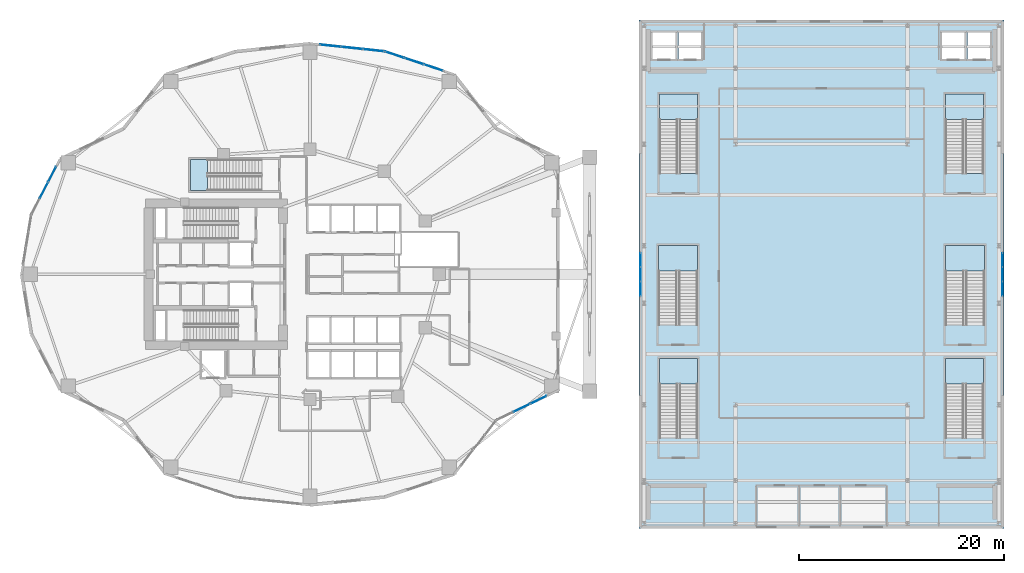
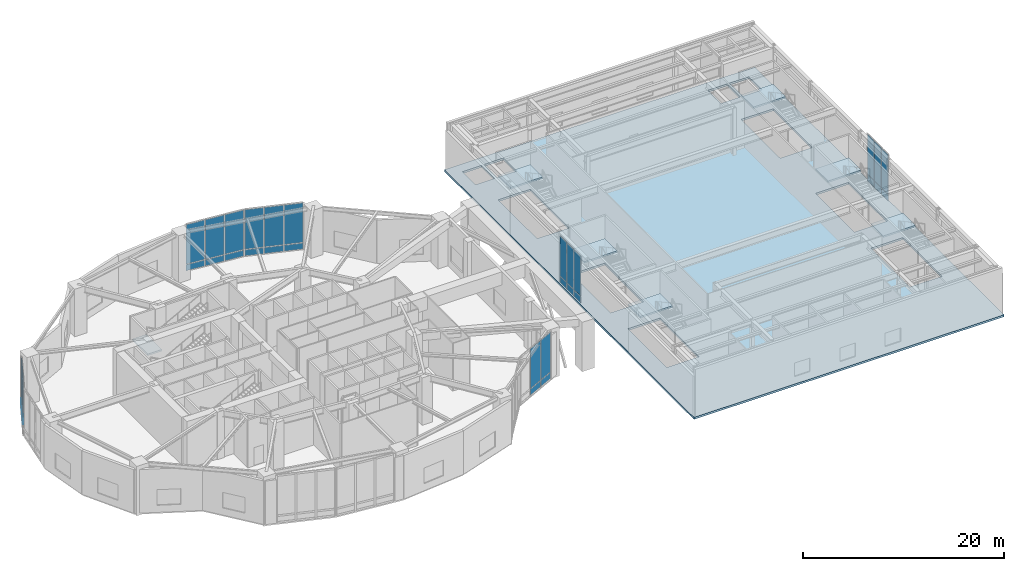
# One storey, part 13 of 25: 32 plates, 8 slabs, 13 elements without a shape of their own.
"""IFC4 building model written with IfcOpenShell, lengths in metres."""

from ifc_helpers import new_model, si_unit, direction, frame, origin, origin_2d, place, context, subcontext, project, spatial, polyline, rectangle, outline, extrude, material, layer, layer_set, type_object, element, aggregate, save


model = new_model("IFC4")

# Units and contexts
model_context = context("Model", 3, precision=1e-05, world=origin(), true_north=direction((0.0, 1.0)))
body_context = subcontext(model_context, "Body", "Model", "MODEL_VIEW")
ifc_project = project(units=[si_unit("LENGTHUNIT", "METRE"), si_unit("AREAUNIT", "SQUARE_METRE"), si_unit("VOLUMEUNIT", "CUBIC_METRE"), si_unit("PLANEANGLEUNIT", "RADIAN"), si_unit("MASSUNIT", "GRAM", prefix="KILO")], contexts=[model_context])

# Site, building, storey
site_placement = place(None, origin())
site = spatial("IfcSite", under=ifc_project, at=site_placement, CompositionType="ELEMENT")
building_placement = place(site_placement, origin())
building = spatial("IfcBuilding", under=site, at=building_placement, Name="Kolvaren Gate Tower and Convention Centre", CompositionType="ELEMENT")
storey_placement = place(building_placement, frame((0.0, 0.0, 15.0)))
storey = spatial("IfcBuildingStorey", under=building, at=storey_placement, Name="L03", CompositionType="ELEMENT", Elevation=15.0)

# Curtain wall, plates
ifc_material_1 = material(Name="Anodized Architectural Aluminium Alloy 6063-T6", Category="aluminium")
ifc_layer_1 = layer(ifc_material_1, 0.179931640625)
ifc_layer_set_1 = layer_set([ifc_layer_1], Name="Anodized Architectural Aluminium Alloy 6063-T6")
curtain_wall_type_1 = type_object("IfcCurtainWallType", Name="CW-POD-GLZ", PredefinedType="NOTDEFINED", material=ifc_layer_set_1)
curtain_wall_1_placement = place(storey_placement, origin())
curtain_wall_1 = element("IfcCurtainWall", 1, at=curtain_wall_1_placement, inside=storey, type_object=curtain_wall_type_1, Name="Tower L03 Unitised Curtain Wall CW-POD-GLZ Bay 04", PredefinedType="NOTDEFINED")
ifc_material_2 = material(Name="Low-E Triple Insulated Glazing Unit 44 mm", Category="glass")
ifc_layer_2 = layer(ifc_material_2, 0.0439453125)
ifc_layer_set_2 = layer_set([ifc_layer_2], Name="Low-E Triple Insulated Glazing Unit 44 mm")
plate_type_1 = type_object("IfcPlateType", Name="CW-PL-IGU-44", PredefinedType="CURTAIN_PANEL", material=ifc_layer_set_2)
plate_1_placement = place(storey_placement, frame((38.37939453125, 48.41015625, 0.88720703125), z_axis=(0.0, 0.0, 1.0), x_axis=(0.949243688479, -0.314541602786, 0.0)))
plate_1 = element("IfcPlate", 2, at=plate_1_placement, type_object=plate_type_1, Name="CW-01 panel 1.2", PredefinedType="CURTAIN_PANEL", context=body_context, shape_type="SweptSolid", body=[
    extrude(rectangle(XDim=1.904541015625, YDim=0.0439453125, at=origin_2d()), origin(), (0.0, 0.0, 1.0), 4.797607421875),
])
plate_2_placement = place(storey_placement, frame((40.2763671875, 47.78173828125, 0.88720703125), z_axis=(0.0, 0.0, 1.0), x_axis=(0.949243688479, -0.314541602786, 0.0)))
plate_2 = element("IfcPlate", 3, at=plate_2_placement, type_object=plate_type_1, Name="CW-01 panel 2.2", PredefinedType="CURTAIN_PANEL", context=body_context, shape_type="SweptSolid", body=[
    extrude(rectangle(XDim=1.94189453125, YDim=0.0439453125, at=origin_2d()), origin(), (0.0, 0.0, 1.0), 4.797607421875),
])
plate_3_placement = place(storey_placement, frame((42.173095703125, 47.153076171875, 0.88720703125), z_axis=(0.0, 0.0, 1.0), x_axis=(0.949243688479, -0.314541602786, 0.0)))
plate_3 = element("IfcPlate", 4, at=plate_3_placement, type_object=plate_type_1, Name="CW-01 panel 3.2", PredefinedType="CURTAIN_PANEL", context=body_context, shape_type="SweptSolid", body=[
    extrude(rectangle(XDim=1.904541015625, YDim=0.0439453125, at=origin_2d()), origin(), (0.0, 0.0, 1.0), 4.797607421875),
])

curtain_wall_2_placement = place(storey_placement, origin())
curtain_wall_2 = element("IfcCurtainWall", 5, at=curtain_wall_2_placement, inside=storey, type_object=curtain_wall_type_1, Name="Tower L03 Unitised Curtain Wall CW-POD-GLZ Bay 05", PredefinedType="NOTDEFINED")
plate_4_placement = place(storey_placement, frame((32.126708984375, 49.2890625, 0.88720703125), z_axis=(0.0, 0.0, 1.0), x_axis=(0.994498762941, -0.104748319841, 0.0)))
plate_4 = element("IfcPlate", 6, at=plate_4_placement, type_object=plate_type_1, Name="CW-01 panel 1.2", PredefinedType="CURTAIN_PANEL", context=body_context, shape_type="SweptSolid", body=[
    extrude(rectangle(XDim=2.017578125, YDim=0.0439453125, at=origin_2d()), origin(), (0.0, 0.0, 1.0), 4.797607421875),
])
plate_5_placement = place(storey_placement, frame((34.2265625, 49.068115234375, 0.88720703125), z_axis=(0.0, 0.0, 1.0), x_axis=(0.994498762941, -0.104748319841, 0.0)))
plate_5 = element("IfcPlate", 7, at=plate_5_placement, type_object=plate_type_1, Name="CW-01 panel 2.2", PredefinedType="CURTAIN_PANEL", context=body_context, shape_type="SweptSolid", body=[
    extrude(rectangle(XDim=2.05517578125, YDim=0.0439453125, at=origin_2d()), origin(), (0.0, 0.0, 1.0), 4.797607421875),
])
plate_6_placement = place(storey_placement, frame((36.326416015625, 48.846923828125, 0.88720703125), z_axis=(0.0, 0.0, 1.0), x_axis=(0.994498762941, -0.104748319841, 0.0)))
plate_6 = element("IfcPlate", 8, at=plate_6_placement, type_object=plate_type_1, Name="CW-01 panel 3.2", PredefinedType="CURTAIN_PANEL", context=body_context, shape_type="SweptSolid", body=[
    extrude(rectangle(XDim=2.017578125, YDim=0.0439453125, at=origin_2d()), origin(), (0.0, 0.0, 1.0), 4.797607421875),
])

curtain_wall_3_placement = place(storey_placement, origin())
curtain_wall_3 = element("IfcCurtainWall", 9, at=curtain_wall_3_placement, inside=storey, type_object=curtain_wall_type_1, Name="Tower L03 Unitised Curtain Wall CW-POD-GLZ Bay 10", PredefinedType="NOTDEFINED")
plate_7_placement = place(storey_placement, frame((4.1787109375, 35.1806640625, 0.88720703125), z_axis=(0.0, 0.0, 1.0), x_axis=(0.459789264949, 0.888028058024, 0.0)))
plate_7 = element("IfcPlate", 10, at=plate_7_placement, type_object=plate_type_1, Name="CW-01 panel 2.2", PredefinedType="CURTAIN_PANEL", context=body_context, shape_type="SweptSolid", body=[
    extrude(rectangle(XDim=1.694580078125, YDim=0.0439453125, at=origin_2d()), origin(), (0.0, 0.0, 1.0), 4.797607421875),
])
plate_8_placement = place(storey_placement, frame((4.98388671875, 36.735595703125, 0.88720703125), z_axis=(0.0, 0.0, 1.0), x_axis=(0.459789264949, 0.888028058024, 0.0)))
plate_8 = element("IfcPlate", 11, at=plate_8_placement, type_object=plate_type_1, Name="CW-01 panel 3.2", PredefinedType="CURTAIN_PANEL", context=body_context, shape_type="SweptSolid", body=[
    extrude(rectangle(XDim=1.6572265625, YDim=0.0439453125, at=origin_2d()), origin(), (0.0, 0.0, 1.0), 4.797607421875),
])

curtain_wall_4_placement = place(storey_placement, origin())
curtain_wall_4 = element("IfcCurtainWall", 12, at=curtain_wall_4_placement, inside=storey, type_object=curtain_wall_type_1, Name="Tower L03 Unitised Curtain Wall CW-POD-GLZ Bay 21", PredefinedType="NOTDEFINED")
plate_9_placement = place(storey_placement, frame((50.77587890625, 13.969482421875, 0.88720703125), z_axis=(0.0, 0.0, 1.0), x_axis=(0.90136380435, 0.433062688542, 0.0)))
plate_9 = element("IfcPlate", 13, at=plate_9_placement, type_object=plate_type_1, Name="CW-01 panel 2.2", PredefinedType="CURTAIN_PANEL", context=body_context, shape_type="SweptSolid", body=[
    extrude(rectangle(XDim=1.744873046875, YDim=0.0439453125, at=origin_2d()), origin(), (0.0, 0.0, 1.0), 4.797607421875),
])
plate_10_placement = place(storey_placement, frame((52.399658203125, 14.74951171875, 0.88720703125), z_axis=(0.0, 0.0, 1.0), x_axis=(0.90136380435, 0.433062688542, 0.0)))
plate_10 = element("IfcPlate", 14, at=plate_10_placement, type_object=plate_type_1, Name="CW-01 panel 3.2", PredefinedType="CURTAIN_PANEL", context=body_context, shape_type="SweptSolid", body=[
    extrude(rectangle(XDim=1.70751953125, YDim=0.0439453125, at=origin_2d()), origin(), (0.0, 0.0, 1.0), 4.797607421875),
])

ifc_layer_3 = layer(ifc_material_1, 0.179931640625)
ifc_layer_set_3 = layer_set([ifc_layer_3], Name="Anodized Architectural Aluminium Alloy 6063-T6")
curtain_wall_type_2 = type_object("IfcCurtainWallType", Name="CW-CONV-GLZ", PredefinedType="NOTDEFINED", material=ifc_layer_set_3)
curtain_wall_5_placement = place(storey_placement, origin())
curtain_wall_5 = element("IfcCurtainWall", 15, at=curtain_wall_5_placement, inside=storey, type_object=curtain_wall_type_2, Name="Convention L03 E Foyer Curtain Wall CW-CC-L03-E", PredefinedType="NOTDEFINED")
plate_11_placement = place(storey_placement, frame((97.64990234375, 25.589599609375, 0.882568359375), z_axis=(0.0, 0.0, 1.0), x_axis=(0.0, 1.0, 0.0)))
plate_11 = element("IfcPlate", 16, at=plate_11_placement, type_object=plate_type_1, Name="CW-06 panel 1.2", PredefinedType="CURTAIN_PANEL", context=body_context, shape_type="SweptSolid", body=[
    extrude(rectangle(XDim=1.3291015625, YDim=0.0439453125, at=origin_2d()), origin(), (0.0, 0.0, 1.0), 4.8125),
])
plate_12_placement = place(storey_placement, frame((97.64990234375, 27.0, 0.882568359375), z_axis=(0.0, 0.0, 1.0), x_axis=(0.0, 1.0, 0.0)))
plate_12 = element("IfcPlate", 17, at=plate_12_placement, type_object=plate_type_1, Name="CW-06 panel 2.2", PredefinedType="CURTAIN_PANEL", context=body_context, shape_type="SweptSolid", body=[
    extrude(rectangle(XDim=1.361572265625, YDim=0.0439453125, at=origin_2d()), origin(), (0.0, 0.0, 1.0), 4.8125),
])
plate_13_placement = place(storey_placement, frame((97.64990234375, 28.410400390625, 0.882568359375), z_axis=(0.0, 0.0, 1.0), x_axis=(0.0, 1.0, 0.0)))
plate_13 = element("IfcPlate", 18, at=plate_13_placement, type_object=plate_type_1, Name="CW-06 panel 3.2", PredefinedType="CURTAIN_PANEL", context=body_context, shape_type="SweptSolid", body=[
    extrude(rectangle(XDim=1.3291015625, YDim=0.0439453125, at=origin_2d()), origin(), (0.0, 0.0, 1.0), 4.8125),
])

curtain_wall_6_placement = place(storey_placement, origin())
curtain_wall_6 = element("IfcCurtainWall", 19, at=curtain_wall_6_placement, inside=storey, type_object=curtain_wall_type_2, Name="Convention L03 W Foyer Curtain Wall CW-CC-L03-W", PredefinedType="NOTDEFINED")
plate_14_placement = place(storey_placement, frame((62.35009765625, 25.589599609375, 0.882568359375), z_axis=(0.0, 0.0, 1.0), x_axis=(0.0, 1.0, 0.0)))
plate_14 = element("IfcPlate", 20, at=plate_14_placement, type_object=plate_type_1, Name="CW-06 panel 1.2", PredefinedType="CURTAIN_PANEL", context=body_context, shape_type="SweptSolid", body=[
    extrude(rectangle(XDim=1.3291015625, YDim=0.0439453125, at=origin_2d()), origin(), (0.0, 0.0, 1.0), 4.8125),
])
plate_15_placement = place(storey_placement, frame((62.35009765625, 27.0, 0.882568359375), z_axis=(0.0, 0.0, 1.0), x_axis=(0.0, 1.0, 0.0)))
plate_15 = element("IfcPlate", 21, at=plate_15_placement, type_object=plate_type_1, Name="CW-06 panel 2.2", PredefinedType="CURTAIN_PANEL", context=body_context, shape_type="SweptSolid", body=[
    extrude(rectangle(XDim=1.361572265625, YDim=0.0439453125, at=origin_2d()), origin(), (0.0, 0.0, 1.0), 4.8125),
])
plate_16_placement = place(storey_placement, frame((62.35009765625, 28.410400390625, 0.882568359375), z_axis=(0.0, 0.0, 1.0), x_axis=(0.0, 1.0, 0.0)))
plate_16 = element("IfcPlate", 22, at=plate_16_placement, type_object=plate_type_1, Name="CW-06 panel 3.2", PredefinedType="CURTAIN_PANEL", context=body_context, shape_type="SweptSolid", body=[
    extrude(rectangle(XDim=1.3291015625, YDim=0.0439453125, at=origin_2d()), origin(), (0.0, 0.0, 1.0), 4.8125),
])

# Plate
ifc_material_3 = material(Name="Solar-Control Laminated Curtain Glazing 36 mm", Category="glass")
ifc_layer_4 = layer(ifc_material_3, 0.035888671875)
ifc_layer_set_4 = layer_set([ifc_layer_4], Name="Solar-Control Laminated Curtain Glazing 36 mm")
plate_type_2 = type_object("IfcPlateType", Name="CW-PL-SPAN-36", PredefinedType="CURTAIN_PANEL", material=ifc_layer_set_4)
plate_17_placement = place(storey_placement, frame((38.37939453125, 48.41015625, 0.0751953125), z_axis=(0.0, 0.0, 1.0), x_axis=(0.949243688479, -0.314541602786, 0.0)))
plate_17 = element("IfcPlate", 23, at=plate_17_placement, type_object=plate_type_2, Name="CW-01 panel 1.1", PredefinedType="CURTAIN_PANEL", context=body_context, shape_type="SweptSolid", body=[
    extrude(rectangle(XDim=1.904541015625, YDim=0.035888671875, at=origin_2d()), origin(), (0.0, 0.0, 1.0), 0.737548828125),
])

plate_18_placement = place(storey_placement, frame((40.2763671875, 47.78173828125, 0.0751953125), z_axis=(0.0, 0.0, 1.0), x_axis=(0.949243688479, -0.314541602786, 0.0)))
plate_18 = element("IfcPlate", 24, at=plate_18_placement, type_object=plate_type_2, Name="CW-01 panel 2.1", PredefinedType="CURTAIN_PANEL", context=body_context, shape_type="SweptSolid", body=[
    extrude(rectangle(XDim=1.94189453125, YDim=0.035888671875, at=origin_2d()), origin(), (0.0, 0.0, 1.0), 0.737548828125),
])

plate_19_placement = place(storey_placement, frame((42.173095703125, 47.153076171875, 0.0751953125), z_axis=(0.0, 0.0, 1.0), x_axis=(0.949243688479, -0.314541602786, 0.0)))
plate_19 = element("IfcPlate", 25, at=plate_19_placement, type_object=plate_type_2, Name="CW-01 panel 3.1", PredefinedType="CURTAIN_PANEL", context=body_context, shape_type="SweptSolid", body=[
    extrude(rectangle(XDim=1.904541015625, YDim=0.035888671875, at=origin_2d()), origin(), (0.0, 0.0, 1.0), 0.737548828125),
])

aggregate(curtain_wall_1, [plate_17, plate_1, plate_18, plate_2, plate_19, plate_3])

plate_20_placement = place(storey_placement, frame((32.126708984375, 49.2890625, 0.0751953125), z_axis=(0.0, 0.0, 1.0), x_axis=(0.994498762941, -0.104748319841, 0.0)))
plate_20 = element("IfcPlate", 26, at=plate_20_placement, type_object=plate_type_2, Name="CW-01 panel 1.1", PredefinedType="CURTAIN_PANEL", context=body_context, shape_type="SweptSolid", body=[
    extrude(rectangle(XDim=2.017578125, YDim=0.035888671875, at=origin_2d()), origin(), (0.0, 0.0, 1.0), 0.737548828125),
])

plate_21_placement = place(storey_placement, frame((34.2265625, 49.068115234375, 0.0751953125), z_axis=(0.0, 0.0, 1.0), x_axis=(0.994498762941, -0.104748319841, 0.0)))
plate_21 = element("IfcPlate", 27, at=plate_21_placement, type_object=plate_type_2, Name="CW-01 panel 2.1", PredefinedType="CURTAIN_PANEL", context=body_context, shape_type="SweptSolid", body=[
    extrude(rectangle(XDim=2.05517578125, YDim=0.035888671875, at=origin_2d()), origin(), (0.0, 0.0, 1.0), 0.737548828125),
])

plate_22_placement = place(storey_placement, frame((36.326416015625, 48.846923828125, 0.0751953125), z_axis=(0.0, 0.0, 1.0), x_axis=(0.994498762941, -0.104748319841, 0.0)))
plate_22 = element("IfcPlate", 28, at=plate_22_placement, type_object=plate_type_2, Name="CW-01 panel 3.1", PredefinedType="CURTAIN_PANEL", context=body_context, shape_type="SweptSolid", body=[
    extrude(rectangle(XDim=2.017578125, YDim=0.035888671875, at=origin_2d()), origin(), (0.0, 0.0, 1.0), 0.737548828125),
])

aggregate(curtain_wall_2, [plate_20, plate_4, plate_21, plate_5, plate_22, plate_6])

plate_23_placement = place(storey_placement, frame((4.1787109375, 35.1806640625, 0.0751953125), z_axis=(0.0, 0.0, 1.0), x_axis=(0.459789264949, 0.888028058024, 0.0)))
plate_23 = element("IfcPlate", 29, at=plate_23_placement, type_object=plate_type_2, Name="CW-01 panel 2.1", PredefinedType="CURTAIN_PANEL", context=body_context, shape_type="SweptSolid", body=[
    extrude(rectangle(XDim=1.694580078125, YDim=0.035888671875, at=origin_2d()), origin(), (0.0, 0.0, 1.0), 0.737548828125),
])

plate_24_placement = place(storey_placement, frame((4.98388671875, 36.735595703125, 0.0751953125), z_axis=(0.0, 0.0, 1.0), x_axis=(0.459789264949, 0.888028058024, 0.0)))
plate_24 = element("IfcPlate", 30, at=plate_24_placement, type_object=plate_type_2, Name="CW-01 panel 3.1", PredefinedType="CURTAIN_PANEL", context=body_context, shape_type="SweptSolid", body=[
    extrude(rectangle(XDim=1.6572265625, YDim=0.035888671875, at=origin_2d()), origin(), (0.0, 0.0, 1.0), 0.737548828125),
])

aggregate(curtain_wall_3, [plate_23, plate_7, plate_24, plate_8])

plate_25_placement = place(storey_placement, frame((50.77587890625, 13.969482421875, 0.0751953125), z_axis=(0.0, 0.0, 1.0), x_axis=(0.90136380435, 0.433062688542, 0.0)))
plate_25 = element("IfcPlate", 31, at=plate_25_placement, type_object=plate_type_2, Name="CW-01 panel 2.1", PredefinedType="CURTAIN_PANEL", context=body_context, shape_type="SweptSolid", body=[
    extrude(rectangle(XDim=1.744873046875, YDim=0.035888671875, at=origin_2d()), origin(), (0.0, 0.0, 1.0), 0.737548828125),
])

plate_26_placement = place(storey_placement, frame((52.399658203125, 14.74951171875, 0.0751953125), z_axis=(0.0, 0.0, 1.0), x_axis=(0.90136380435, 0.433062688542, 0.0)))
plate_26 = element("IfcPlate", 32, at=plate_26_placement, type_object=plate_type_2, Name="CW-01 panel 3.1", PredefinedType="CURTAIN_PANEL", context=body_context, shape_type="SweptSolid", body=[
    extrude(rectangle(XDim=1.70751953125, YDim=0.035888671875, at=origin_2d()), origin(), (0.0, 0.0, 1.0), 0.737548828125),
])

aggregate(curtain_wall_4, [plate_25, plate_9, plate_26, plate_10])

plate_27_placement = place(storey_placement, frame((97.64990234375, 25.589599609375, 0.06494140625), z_axis=(0.0, 0.0, 1.0), x_axis=(0.0, 1.0, 0.0)))
plate_27 = element("IfcPlate", 33, at=plate_27_placement, type_object=plate_type_2, Name="CW-06 panel 1.1", PredefinedType="CURTAIN_PANEL", context=body_context, shape_type="SweptSolid", body=[
    extrude(rectangle(XDim=1.3291015625, YDim=0.035888671875, at=origin_2d()), origin(), (0.0, 0.0, 1.0), 0.75244140625),
])

plate_28_placement = place(storey_placement, frame((97.64990234375, 27.0, 0.06494140625), z_axis=(0.0, 0.0, 1.0), x_axis=(0.0, 1.0, 0.0)))
plate_28 = element("IfcPlate", 34, at=plate_28_placement, type_object=plate_type_2, Name="CW-06 panel 2.1", PredefinedType="CURTAIN_PANEL", context=body_context, shape_type="SweptSolid", body=[
    extrude(rectangle(XDim=1.361572265625, YDim=0.035888671875, at=origin_2d()), origin(), (0.0, 0.0, 1.0), 0.75244140625),
])

plate_29_placement = place(storey_placement, frame((97.64990234375, 28.410400390625, 0.06494140625), z_axis=(0.0, 0.0, 1.0), x_axis=(0.0, 1.0, 0.0)))
plate_29 = element("IfcPlate", 35, at=plate_29_placement, type_object=plate_type_2, Name="CW-06 panel 3.1", PredefinedType="CURTAIN_PANEL", context=body_context, shape_type="SweptSolid", body=[
    extrude(rectangle(XDim=1.3291015625, YDim=0.035888671875, at=origin_2d()), origin(), (0.0, 0.0, 1.0), 0.75244140625),
])

aggregate(curtain_wall_5, [plate_27, plate_11, plate_28, plate_12, plate_29, plate_13])

plate_30_placement = place(storey_placement, frame((62.35009765625, 25.589599609375, 0.06494140625), z_axis=(0.0, 0.0, 1.0), x_axis=(0.0, 1.0, 0.0)))
plate_30 = element("IfcPlate", 36, at=plate_30_placement, type_object=plate_type_2, Name="CW-06 panel 1.1", PredefinedType="CURTAIN_PANEL", context=body_context, shape_type="SweptSolid", body=[
    extrude(rectangle(XDim=1.3291015625, YDim=0.035888671875, at=origin_2d()), origin(), (0.0, 0.0, 1.0), 0.75244140625),
])

plate_31_placement = place(storey_placement, frame((62.35009765625, 27.0, 0.06494140625), z_axis=(0.0, 0.0, 1.0), x_axis=(0.0, 1.0, 0.0)))
plate_31 = element("IfcPlate", 37, at=plate_31_placement, type_object=plate_type_2, Name="CW-06 panel 2.1", PredefinedType="CURTAIN_PANEL", context=body_context, shape_type="SweptSolid", body=[
    extrude(rectangle(XDim=1.361572265625, YDim=0.035888671875, at=origin_2d()), origin(), (0.0, 0.0, 1.0), 0.75244140625),
])

plate_32_placement = place(storey_placement, frame((62.35009765625, 28.410400390625, 0.06494140625), z_axis=(0.0, 0.0, 1.0), x_axis=(0.0, 1.0, 0.0)))
plate_32 = element("IfcPlate", 38, at=plate_32_placement, type_object=plate_type_2, Name="CW-06 panel 3.1", PredefinedType="CURTAIN_PANEL", context=body_context, shape_type="SweptSolid", body=[
    extrude(rectangle(XDim=1.3291015625, YDim=0.035888671875, at=origin_2d()), origin(), (0.0, 0.0, 1.0), 0.75244140625),
])

aggregate(curtain_wall_6, [plate_30, plate_14, plate_31, plate_15, plate_32, plate_16])

# Slab
ifc_material_4 = material(Name="Concrete C40/50", Category="concrete")
ifc_layer_5 = layer(ifc_material_4, 0.239990234375)
ifc_layer_set_5 = layer_set([ifc_layer_5], Name="Concrete C40/50")
slab_type_1 = type_object("IfcSlabType", Name="STR-SL-FLR-240", PredefinedType="FLOOR", material=ifc_layer_set_5)
slab_1_placement = place(storey_placement, frame((0.0, 0.0, -0.239990234375)))
element("IfcSlab", 39, at=slab_1_placement, inside=storey, type_object=slab_type_1, Name="Convention Centre L03 Structural Floor Slab", PredefinedType="FLOOR", context=body_context, shape_type="SweptSolid", body=[
    extrude(outline(polyline([(62.199951171875, 2.199951171875), (97.800048828125, 2.199951171875), (97.800048828125, 51.800048828125), (62.199951171875, 51.800048828125), (62.199951171875, 2.199951171875)]), holes=[polyline([(94.25, 48.0), (94.25, 50.60009765625), (96.449951171875, 50.60009765625), (96.449951171875, 48.0), (94.25, 48.0)]), polyline([(95.89990234375, 22.050048828125), (92.10009765625, 22.050048828125), (92.10009765625, 29.800048828125), (95.89990234375, 29.800048828125), (95.89990234375, 22.050048828125)]), polyline([(95.800048828125, 18.800048828125), (95.800048828125, 11.050048828125), (92.10009765625, 11.050048828125), (92.10009765625, 18.800048828125), (95.800048828125, 18.800048828125)]), polyline([(95.800048828125, 44.60009765625), (95.800048828125, 36.85009765625), (92.10009765625, 36.85009765625), (92.10009765625, 44.60009765625), (95.800048828125, 44.60009765625)]), polyline([(91.75, 48.0), (91.75, 50.60009765625), (93.949951171875, 50.60009765625), (93.949951171875, 48.0), (91.75, 48.0)]), polyline([(68.25, 48.0), (66.050048828125, 48.0), (66.050048828125, 50.60009765625), (68.25, 50.60009765625), (68.25, 48.0)]), polyline([(67.89990234375, 18.800048828125), (67.89990234375, 11.050048828125), (64.199951171875, 11.050048828125), (64.199951171875, 18.800048828125), (67.89990234375, 18.800048828125)]), polyline([(67.89990234375, 29.800048828125), (67.89990234375, 22.050048828125), (64.10009765625, 22.050048828125), (64.10009765625, 29.800048828125), (67.89990234375, 29.800048828125)]), polyline([(67.89990234375, 36.85009765625), (64.199951171875, 36.85009765625), (64.199951171875, 44.60009765625), (67.89990234375, 44.60009765625), (67.89990234375, 36.85009765625)]), polyline([(65.75, 48.0), (63.550048828125, 48.0), (63.550048828125, 50.60009765625), (65.75, 50.60009765625), (65.75, 48.0)])]), origin(), (0.0, 0.0, 1.0), 0.239990234375),
])

# Stair, slab
ifc_material_5 = material(Name="Concrete C50/60", Category="concrete")
stair_type_1 = type_object("IfcStairType", Name="STR-STAIR-CORE", PredefinedType="HALF_TURN_STAIR", material=ifc_material_5)
stair_1_placement = place(storey_placement, origin())
stair_1 = element("IfcStair", 40, at=stair_1_placement, inside=storey, type_object=stair_type_1, Name="L03 Tower Mid-Zone Exit Stair ST-T3", PredefinedType="HALF_TURN_STAIR")
ifc_layer_6 = layer(ifc_material_5, 0.199951171875)
ifc_layer_set_6 = layer_set([ifc_layer_6], Name="Concrete C50/60")
slab_type_2 = type_object("IfcSlabType", Name="STR-SL-LAND-200", PredefinedType="LANDING", material=ifc_layer_set_6)
slab_2_placement = place(storey_placement, frame((0.0, 0.0, 2.800048828125)))
slab_2 = element("IfcSlab", 41, at=slab_2_placement, type_object=slab_type_2, Name="ST-T3 landing 1", PredefinedType="LANDING", context=body_context, shape_type="SweptSolid", body=[
    extrude(outline(polyline([(20.1298828125, 38.199951171875), (18.5, 38.199951171875), (18.5, 35.159912109375), (20.1298828125, 35.159912109375), (20.1298828125, 38.199951171875)])), origin(), (0.0, 0.0, 1.0), 0.199951171875),
])
aggregate(stair_1, [slab_2])

stair_type_2 = type_object("IfcStairType", Name="STR-STAIR-CONV", PredefinedType="HALF_TURN_STAIR", material=ifc_material_5)
stair_2_placement = place(storey_placement, origin())
stair_2 = element("IfcStair", 42, at=stair_2_placement, inside=storey, type_object=stair_type_2, Name="L03 Convention NW Exit Stair ST-C1", PredefinedType="HALF_TURN_STAIR")
slab_3_placement = place(storey_placement, frame((0.0, 0.0, 2.800048828125)))
slab_3 = element("IfcSlab", 43, at=slab_3_placement, type_object=slab_type_2, Name="ST-C1 landing 1", PredefinedType="LANDING", context=body_context, shape_type="SweptSolid", body=[
    extrude(outline(polyline([(67.89990234375, 42.1201171875), (67.89990234375, 44.60009765625), (64.199951171875, 44.60009765625), (64.199951171875, 42.1201171875), (67.89990234375, 42.1201171875)])), origin(), (0.0, 0.0, 1.0), 0.199951171875),
])
aggregate(stair_2, [slab_3])

stair_3_placement = place(storey_placement, origin())
stair_3 = element("IfcStair", 44, at=stair_3_placement, inside=storey, type_object=stair_type_2, Name="L03 Convention SW Exit Stair ST-C2", PredefinedType="HALF_TURN_STAIR")
slab_4_placement = place(storey_placement, frame((0.0, 0.0, 2.800048828125)))
slab_4 = element("IfcSlab", 45, at=slab_4_placement, type_object=slab_type_2, Name="ST-C2 landing 1", PredefinedType="LANDING", context=body_context, shape_type="SweptSolid", body=[
    extrude(outline(polyline([(67.89990234375, 16.320068359375), (67.89990234375, 18.800048828125), (64.199951171875, 18.800048828125), (64.199951171875, 16.320068359375), (67.89990234375, 16.320068359375)])), origin(), (0.0, 0.0, 1.0), 0.199951171875),
])
aggregate(stair_3, [slab_4])

stair_4_placement = place(storey_placement, origin())
stair_4 = element("IfcStair", 46, at=stair_4_placement, inside=storey, type_object=stair_type_2, Name="L03 Convention NE Exit Stair ST-C3", PredefinedType="HALF_TURN_STAIR")
slab_5_placement = place(storey_placement, frame((0.0, 0.0, 2.800048828125)))
slab_5 = element("IfcSlab", 47, at=slab_5_placement, type_object=slab_type_2, Name="ST-C3 landing 1", PredefinedType="LANDING", context=body_context, shape_type="SweptSolid", body=[
    extrude(outline(polyline([(95.800048828125, 42.1201171875), (95.800048828125, 44.60009765625), (92.10009765625, 44.60009765625), (92.10009765625, 42.1201171875), (95.800048828125, 42.1201171875)])), origin(), (0.0, 0.0, 1.0), 0.199951171875),
])
aggregate(stair_4, [slab_5])

stair_5_placement = place(storey_placement, origin())
stair_5 = element("IfcStair", 48, at=stair_5_placement, inside=storey, type_object=stair_type_2, Name="L03 Convention SE Exit Stair ST-C4", PredefinedType="HALF_TURN_STAIR")
slab_6_placement = place(storey_placement, frame((0.0, 0.0, 2.800048828125)))
slab_6 = element("IfcSlab", 49, at=slab_6_placement, type_object=slab_type_2, Name="ST-C4 landing 1", PredefinedType="LANDING", context=body_context, shape_type="SweptSolid", body=[
    extrude(outline(polyline([(95.800048828125, 16.320068359375), (95.800048828125, 18.800048828125), (92.10009765625, 18.800048828125), (92.10009765625, 16.320068359375), (95.800048828125, 16.320068359375)])), origin(), (0.0, 0.0, 1.0), 0.199951171875),
])
aggregate(stair_5, [slab_6])

stair_6_placement = place(storey_placement, origin())
stair_6 = element("IfcStair", 50, at=stair_6_placement, inside=storey, type_object=stair_type_2, Name="L03 Convention West Assembly Stair ST-C5", PredefinedType="HALF_TURN_STAIR")
slab_7_placement = place(storey_placement, frame((0.0, 0.0, 2.800048828125)))
slab_7 = element("IfcSlab", 51, at=slab_7_placement, type_object=slab_type_2, Name="ST-C5 landing 1", PredefinedType="LANDING", context=body_context, shape_type="SweptSolid", body=[
    extrude(outline(polyline([(67.89990234375, 27.320068359375), (67.89990234375, 29.800048828125), (64.10009765625, 29.800048828125), (64.10009765625, 27.320068359375), (67.89990234375, 27.320068359375)])), origin(), (0.0, 0.0, 1.0), 0.199951171875),
])
aggregate(stair_6, [slab_7])

stair_7_placement = place(storey_placement, origin())
stair_7 = element("IfcStair", 52, at=stair_7_placement, inside=storey, type_object=stair_type_2, Name="L03 Convention East Assembly Stair ST-C6", PredefinedType="HALF_TURN_STAIR")
slab_8_placement = place(storey_placement, frame((0.0, 0.0, 2.800048828125)))
slab_8 = element("IfcSlab", 53, at=slab_8_placement, type_object=slab_type_2, Name="ST-C6 landing 1", PredefinedType="LANDING", context=body_context, shape_type="SweptSolid", body=[
    extrude(outline(polyline([(95.89990234375, 27.320068359375), (95.89990234375, 29.800048828125), (92.10009765625, 29.800048828125), (92.10009765625, 27.320068359375), (95.89990234375, 27.320068359375)])), origin(), (0.0, 0.0, 1.0), 0.199951171875),
])
aggregate(stair_7, [slab_8])

save(model, "model.ifc")
